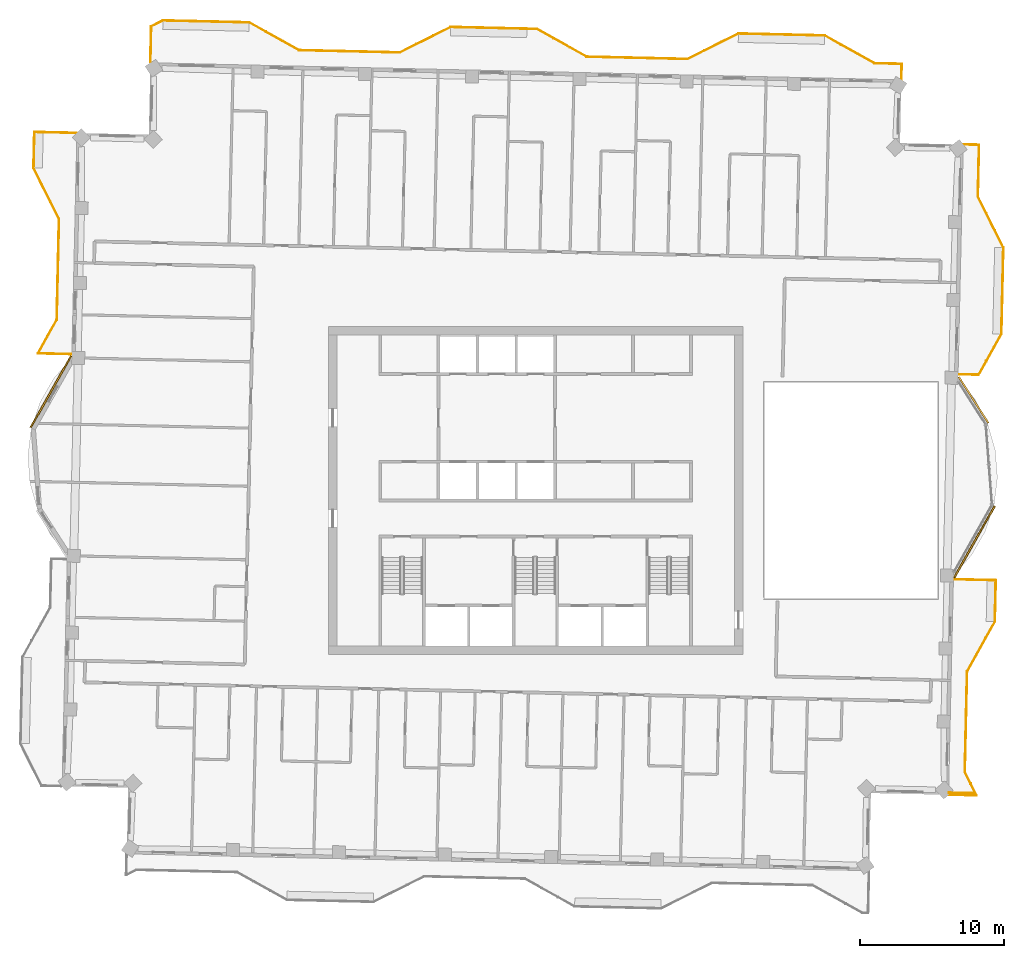
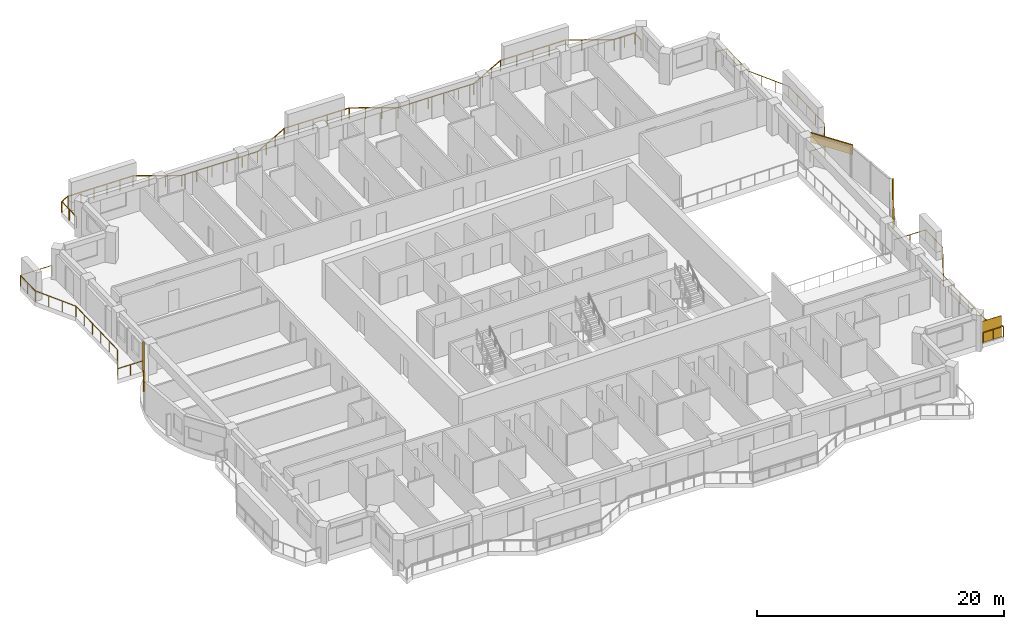
# One storey, part 15 of 15: 4 railings, 3 coverings, 1 shading device.
"""IFC4 building model written with IfcOpenShell, lengths in metres."""

from ifc_helpers import new_model, si_unit, direction, frame, frame_2d, origin, origin_2d, place, context, subcontext, project, spatial, rectangle, extrude, material, layer, layer_set, type_object, element, save


model = new_model("IFC4")

# Units and contexts
model_context = context("Model", 3, precision=1e-05, world=origin(), true_north=direction((0.0, 1.0)))
body_context = subcontext(model_context, "Body", "Model", "MODEL_VIEW")
ifc_project = project(units=[si_unit("LENGTHUNIT", "METRE"), si_unit("AREAUNIT", "SQUARE_METRE"), si_unit("VOLUMEUNIT", "CUBIC_METRE"), si_unit("PLANEANGLEUNIT", "RADIAN"), si_unit("MASSUNIT", "GRAM", prefix="KILO")], contexts=[model_context])

# Site, building, storey
site_placement = place(None, origin())
site = spatial("IfcSite", under=ifc_project, at=site_placement, CompositionType="ELEMENT")
building_placement = place(site_placement, origin())
building = spatial("IfcBuilding", under=site, at=building_placement, Name="Mangrove Gate Tower", CompositionType="ELEMENT")
storey_placement = place(building_placement, frame((0.0, 0.0, 306.10009765625)))
storey = spatial("IfcBuildingStorey", under=building, at=storey_placement, Name="L78", CompositionType="ELEMENT", Elevation=306.10009765625)

# Railings
ifc_material_1 = material(Name="Stainless steel grade 316 with laminated glass infill", Category="steel")
railing_type = type_object("IfcRailingType", Name="Balcony guard 1100", PredefinedType="GUARDRAIL", material=ifc_material_1)
railing_1_placement = place(storey_placement, frame((28.73095703125, -21.14404296875, 0.0)))
element("IfcRailing", 1, at=railing_1_placement, inside=storey, type_object=railing_type, Name="GUARD L78 E1", PredefinedType="GUARDRAIL", context=body_context, shape_type="SweptSolid", body=[
    extrude(rectangle(XDim=0.048095703125, YDim=0.048095703125, at=origin_2d()), frame((0.0, 0.0, 1.076171875), z_axis=(0.999745723365, -0.022549692082, 0.0), x_axis=(0.022549692082, 0.999745723365, 0.0)), (0.0, 0.0, 1.0), 1.905517578125),
    extrude(rectangle(XDim=0.048095703125, YDim=0.048095703125, at=origin_2d()), frame((1.905029296875, -0.04296875, 1.076171875), z_axis=(-0.44705171067, 0.894508115104, 0.0), x_axis=(-0.894508115104, -0.44705171067, 0.0)), (0.0, 0.0, 1.0), 1.809814453125),
    extrude(rectangle(XDim=0.048095703125, YDim=0.048095703125, at=origin_2d()), frame((1.095947265625, 1.575927734375, 1.076171875), z_axis=(0.022600979566, 0.999744565238, 0.0), x_axis=(-0.999744565238, 0.022600979566, 0.0)), (0.0, 0.0, 1.0), 6.999755859375),
    extrude(rectangle(XDim=0.048095703125, YDim=0.048095703125, at=origin_2d()), frame((1.254150390625, 8.573974609375, 1.076171875), z_axis=(0.48726008209, 0.87325689943, 0.0), x_axis=(-0.87325689943, 0.48726008209, 0.0)), (0.0, 0.0, 1.0), 3.958740234375),
    extrude(rectangle(XDim=0.048095703125, YDim=0.048095703125, at=origin_2d()), frame((3.18310546875, 12.031005859375, 1.076171875), z_axis=(0.022929749512, 0.99973707873, 0.0), x_axis=(-0.99973707873, 0.022929749512, 0.0)), (0.0, 0.0, 1.0), 2.874755859375),
    extrude(rectangle(XDim=0.048095703125, YDim=0.048095703125, at=origin_2d()), frame((3.2490234375, 14.905029296875, 1.076171875), z_axis=(-0.999743521605, 0.022647097142, 0.0), x_axis=(-0.022647097142, -0.999743521605, 0.0)), (0.0, 0.0, 1.0), 2.91064453125),
    extrude(rectangle(XDim=0.0419921875, YDim=0.0419921875, at=origin_2d()), origin(), (0.0, 0.0, 1.0), 1.052001953125),
    extrude(rectangle(XDim=0.0419921875, YDim=0.0419921875, at=origin_2d()), frame((0.95263671875, -0.021484375, 0.0)), (0.0, 0.0, 1.0), 1.052001953125),
    extrude(rectangle(XDim=0.0419921875, YDim=0.0419921875, at=origin_2d()), frame((1.905029296875, -0.04296875, 0.0)), (0.0, 0.0, 1.0), 1.052001953125),
    extrude(rectangle(XDim=0.0419921875, YDim=0.0419921875, at=origin_2d()), frame((1.50048828125, 0.7666015625, 0.0)), (0.0, 0.0, 1.0), 1.052001953125),
    extrude(rectangle(XDim=0.0419921875, YDim=0.0419921875, at=origin_2d()), frame((1.095947265625, 1.575927734375, 0.0)), (0.0, 0.0, 1.0), 1.052001953125),
    extrude(rectangle(XDim=0.0419921875, YDim=0.0419921875, at=origin_2d()), frame((1.127685546875, 2.9755859375, 0.0)), (0.0, 0.0, 1.0), 1.052001953125),
    extrude(rectangle(XDim=0.0419921875, YDim=0.0419921875, at=origin_2d()), frame((1.1591796875, 4.375244140625, 0.0)), (0.0, 0.0, 1.0), 1.052001953125),
    extrude(rectangle(XDim=0.0419921875, YDim=0.0419921875, at=origin_2d()), frame((1.19091796875, 5.774658203125, 0.0)), (0.0, 0.0, 1.0), 1.052001953125),
    extrude(rectangle(XDim=0.0419921875, YDim=0.0419921875, at=origin_2d()), frame((1.222412109375, 7.17431640625, 0.0)), (0.0, 0.0, 1.0), 1.052001953125),
    extrude(rectangle(XDim=0.0419921875, YDim=0.0419921875, at=origin_2d()), frame((1.254150390625, 8.573974609375, 0.0)), (0.0, 0.0, 1.0), 1.052001953125),
    extrude(rectangle(XDim=0.0419921875, YDim=0.0419921875, at=origin_2d()), frame((1.897216796875, 9.726318359375, 0.0)), (0.0, 0.0, 1.0), 1.052001953125),
    extrude(rectangle(XDim=0.0419921875, YDim=0.0419921875, at=origin_2d()), frame((2.5400390625, 10.878662109375, 0.0)), (0.0, 0.0, 1.0), 1.052001953125),
    extrude(rectangle(XDim=0.0419921875, YDim=0.0419921875, at=origin_2d()), frame((3.18310546875, 12.031005859375, 0.0)), (0.0, 0.0, 1.0), 1.052001953125),
    extrude(rectangle(XDim=0.0419921875, YDim=0.0419921875, at=origin_2d()), frame((3.216064453125, 13.468017578125, 0.0)), (0.0, 0.0, 1.0), 1.052001953125),
    extrude(rectangle(XDim=0.0419921875, YDim=0.0419921875, at=origin_2d()), frame((3.2490234375, 14.905029296875, 0.0)), (0.0, 0.0, 1.0), 1.052001953125),
    extrude(rectangle(XDim=0.0419921875, YDim=0.0419921875, at=origin_2d()), frame((1.7939453125, 14.93798828125, 0.0)), (0.0, 0.0, 1.0), 1.052001953125),
    extrude(rectangle(XDim=0.0419921875, YDim=0.0419921875, at=origin_2d()), frame((0.339111328125, 14.970947265625, 0.0)), (0.0, 0.0, 1.0), 1.052001953125),
])
railing_2_placement = place(storey_placement, frame((29.39404296875, 8.073974609375, 0.0)))
element("IfcRailing", 2, at=railing_2_placement, inside=storey, type_object=railing_type, Name="GUARD L78 E2", PredefinedType="GUARDRAIL", context=body_context, shape_type="SweptSolid", body=[
    extrude(rectangle(XDim=0.048095703125, YDim=0.048095703125, at=origin_2d()), frame((0.0, 0.0, 1.076171875), z_axis=(0.999735358589, -0.023004625325, 0.0), x_axis=(0.023004625325, 0.999735358589, 0.0)), (0.0, 0.0, 1.0), 1.390380859375),
    extrude(rectangle(XDim=0.048095703125, YDim=0.048095703125, at=origin_2d()), frame((1.389892578125, -0.031982421875, 1.076171875), z_axis=(0.487089238085, 0.873352205093, 0.0), x_axis=(-0.873352205093, 0.487089238085, 0.0)), (0.0, 0.0, 1.0), 3.251953125),
    extrude(rectangle(XDim=0.048095703125, YDim=0.048095703125, at=origin_2d()), frame((2.973876953125, 2.80810546875, 1.076171875), z_axis=(0.022666865795, 0.999743073592, 0.0), x_axis=(-0.999743073592, 0.022666865795, 0.0)), (0.0, 0.0, 1.0), 5.999267578125),
    extrude(rectangle(XDim=0.048095703125, YDim=0.048095703125, at=origin_2d()), frame((3.10986328125, 8.805908203125, 1.076171875), z_axis=(-0.447114919141, 0.894476522376, 0.0), x_axis=(-0.894476522376, -0.447114919141, 0.0)), (0.0, 0.0, 1.0), 3.958740234375),
    extrude(rectangle(XDim=0.048095703125, YDim=0.048095703125, at=origin_2d()), frame((1.33984375, 12.346923828125, 1.076171875), z_axis=(0.02278610514, 0.999740363001, 0.0), x_axis=(-0.999740363001, 0.02278610514, 0.0)), (0.0, 0.0, 1.0), 3.60009765625),
    extrude(rectangle(XDim=0.048095703125, YDim=0.048095703125, at=origin_2d()), frame((1.421875, 15.946044921875, 1.076171875), z_axis=(-0.999745272039, 0.02256969285, 0.0), x_axis=(-0.02256969285, -0.999745272039, 0.0)), (0.0, 0.0, 1.0), 1.06005859375),
    extrude(rectangle(XDim=0.0419921875, YDim=0.0419921875, at=origin_2d()), origin(), (0.0, 0.0, 1.0), 1.052001953125),
    extrude(rectangle(XDim=0.0419921875, YDim=0.0419921875, at=origin_2d()), frame((1.389892578125, -0.031982421875, 0.0)), (0.0, 0.0, 1.0), 1.052001953125),
    extrude(rectangle(XDim=0.0419921875, YDim=0.0419921875, at=origin_2d()), frame((1.91796875, 0.914794921875, 0.0)), (0.0, 0.0, 1.0), 1.052001953125),
    extrude(rectangle(XDim=0.0419921875, YDim=0.0419921875, at=origin_2d()), frame((2.44580078125, 1.861328125, 0.0)), (0.0, 0.0, 1.0), 1.052001953125),
    extrude(rectangle(XDim=0.0419921875, YDim=0.0419921875, at=origin_2d()), frame((2.973876953125, 2.80810546875, 0.0)), (0.0, 0.0, 1.0), 1.052001953125),
    extrude(rectangle(XDim=0.0419921875, YDim=0.0419921875, at=origin_2d()), frame((3.0078125, 4.3076171875, 0.0)), (0.0, 0.0, 1.0), 1.052001953125),
    extrude(rectangle(XDim=0.0419921875, YDim=0.0419921875, at=origin_2d()), frame((3.0419921875, 5.80712890625, 0.0)), (0.0, 0.0, 1.0), 1.052001953125),
    extrude(rectangle(XDim=0.0419921875, YDim=0.0419921875, at=origin_2d()), frame((3.075927734375, 7.306396484375, 0.0)), (0.0, 0.0, 1.0), 1.052001953125),
    extrude(rectangle(XDim=0.0419921875, YDim=0.0419921875, at=origin_2d()), frame((3.10986328125, 8.805908203125, 0.0)), (0.0, 0.0, 1.0), 1.052001953125),
    extrude(rectangle(XDim=0.0419921875, YDim=0.0419921875, at=origin_2d()), frame((2.519775390625, 9.986328125, 0.0)), (0.0, 0.0, 1.0), 1.052001953125),
    extrude(rectangle(XDim=0.0419921875, YDim=0.0419921875, at=origin_2d()), frame((1.929931640625, 11.16650390625, 0.0)), (0.0, 0.0, 1.0), 1.052001953125),
    extrude(rectangle(XDim=0.0419921875, YDim=0.0419921875, at=origin_2d()), frame((1.33984375, 12.346923828125, 0.0)), (0.0, 0.0, 1.0), 1.052001953125),
    extrude(rectangle(XDim=0.0419921875, YDim=0.0419921875, at=origin_2d()), frame((1.3671875, 13.546630859375, 0.0)), (0.0, 0.0, 1.0), 1.052001953125),
    extrude(rectangle(XDim=0.0419921875, YDim=0.0419921875, at=origin_2d()), frame((1.39453125, 14.746337890625, 0.0)), (0.0, 0.0, 1.0), 1.052001953125),
    extrude(rectangle(XDim=0.0419921875, YDim=0.0419921875, at=origin_2d()), frame((1.421875, 15.946044921875, 0.0)), (0.0, 0.0, 1.0), 1.052001953125),
    extrude(rectangle(XDim=0.0419921875, YDim=0.0419921875, at=origin_2d()), frame((0.362060546875, 15.969970703125, 0.0)), (0.0, 0.0, 1.0), 1.052001953125),
])
railing_3_placement = place(storey_placement, frame((25.41796875, 28.583984375, 0.0)))
element("IfcRailing", 3, at=railing_3_placement, inside=storey, type_object=railing_type, Name="GUARD L78 N1", PredefinedType="GUARDRAIL", context=body_context, shape_type="SweptSolid", body=[
    extrude(rectangle(XDim=0.048095703125, YDim=0.048095703125, at=origin_2d()), frame((0.0, 0.0, 1.076171875), z_axis=(0.022564497502, 0.999745389313, 0.0), x_axis=(-0.999745389313, 0.022564497502, 0.0)), (0.0, 0.0, 1.0), 1.060302734375),
    extrude(rectangle(XDim=0.048095703125, YDim=0.048095703125, at=origin_2d()), frame((0.02392578125, 1.06005859375, 1.076171875), z_axis=(-0.999744349692, 0.022610512149, 0.0), x_axis=(-0.022610512149, -0.999744349692, 0.0)), (0.0, 0.0, 1.0), 1.900390625),
    extrude(rectangle(XDim=0.048095703125, YDim=0.048095703125, at=origin_2d()), frame((-1.8759765625, 1.10302734375, 1.076171875), z_axis=(-0.87325689943, 0.48726008209, 0.0), x_axis=(-0.48726008209, -0.87325689943, 0.0)), (0.0, 0.0, 1.0), 3.958740234375),
    extrude(rectangle(XDim=0.048095703125, YDim=0.048095703125, at=origin_2d()), frame((-5.3330078125, 3.031982421875, 1.076171875), z_axis=(-0.999743094499, 0.022665943652, 0.0), x_axis=(-0.022665943652, -0.999743094499, 0.0)), (0.0, 0.0, 1.0), 5.99951171875),
    extrude(rectangle(XDim=0.048095703125, YDim=0.048095703125, at=origin_2d()), frame((-11.3310546875, 3.16796875, 1.076171875), z_axis=(-0.894476522376, -0.447114919141, 0.0), x_axis=(0.447114919141, -0.894476522376, 0.0)), (0.0, 0.0, 1.0), 3.958740234375),
    extrude(rectangle(XDim=0.048095703125, YDim=0.048095703125, at=origin_2d()), frame((-14.8720703125, 1.39794921875, 1.076171875), z_axis=(-0.999741385179, 0.022741212823, 0.0), x_axis=(-0.022741212823, -0.999741385179, 0.0)), (0.0, 0.0, 1.0), 6.99951171875),
    extrude(rectangle(XDim=0.048095703125, YDim=0.048095703125, at=origin_2d()), frame((-21.869873046875, 1.55712890625, 1.076171875), z_axis=(-0.873420366986, 0.486967003537, 0.0), x_axis=(-0.486967003537, -0.873420366986, 0.0)), (0.0, 0.0, 1.0), 3.959228515625),
    extrude(rectangle(XDim=0.048095703125, YDim=0.048095703125, at=origin_2d()), frame((-25.327880859375, 3.485107421875, 1.076171875), z_axis=(-0.999742376089, 0.022697608958, 0.0), x_axis=(-0.022697608958, -0.999742376089, 0.0)), (0.0, 0.0, 1.0), 0.69921875),
    extrude(rectangle(XDim=0.048095703125, YDim=0.048095703125, at=origin_2d()), frame((-26.02685546875, 3.5009765625, 1.076171875), z_axis=(-0.999738998067, 0.022845913063, 0.0), x_axis=(-0.022845913063, -0.999738998067, 0.0)), (0.0, 0.0, 1.0), 5.300537109375),
    extrude(rectangle(XDim=0.048095703125, YDim=0.048095703125, at=origin_2d()), frame((-31.325927734375, 3.6220703125, 1.076171875), z_axis=(-0.894377854182, -0.447312255532, 0.0), x_axis=(0.447312255532, -0.894377854182, 0.0)), (0.0, 0.0, 1.0), 3.959228515625),
    extrude(rectangle(XDim=0.048095703125, YDim=0.048095703125, at=origin_2d()), frame((-34.866943359375, 1.85107421875, 1.076171875), z_axis=(-0.999742195543, 0.022705559911, 0.0), x_axis=(-0.022705559911, -0.999742195543, 0.0)), (0.0, 0.0, 1.0), 6.999755859375),
    extrude(rectangle(XDim=0.048095703125, YDim=0.048095703125, at=origin_2d()), frame((-41.864990234375, 2.010009765625, 1.076171875), z_axis=(-0.87325689943, 0.48726008209, 0.0), x_axis=(-0.48726008209, -0.87325689943, 0.0)), (0.0, 0.0, 1.0), 3.958740234375),
    extrude(rectangle(XDim=0.048095703125, YDim=0.048095703125, at=origin_2d()), frame((-45.322021484375, 3.93896484375, 1.076171875), z_axis=(-0.999743178102, 0.022662255828, 0.0), x_axis=(-0.022662255828, -0.999743178102, 0.0)), (0.0, 0.0, 1.0), 6.00048828125),
    extrude(rectangle(XDim=0.048095703125, YDim=0.048095703125, at=origin_2d()), frame((-51.321044921875, 4.074951171875, 1.076171875), z_axis=(-0.89458914664, -0.446889537485, 0.0), x_axis=(0.446889537485, -0.89458914664, 0.0)), (0.0, 0.0, 1.0), 0.904052734375),
    extrude(rectangle(XDim=0.048095703125, YDim=0.048095703125, at=origin_2d()), frame((-52.1298828125, 3.6708984375, 1.076171875), z_axis=(-0.022574257693, -0.999745168975, 0.0), x_axis=(0.999745168975, -0.022574257693, 0.0)), (0.0, 0.0, 1.0), 2.487548828125),
    extrude(rectangle(XDim=0.0419921875, YDim=0.0419921875, at=origin_2d()), origin(), (0.0, 0.0, 1.0), 1.052001953125),
    extrude(rectangle(XDim=0.0419921875, YDim=0.0419921875, at=origin_2d()), frame((0.02392578125, 1.06005859375, 0.0)), (0.0, 0.0, 1.0), 1.052001953125),
    extrude(rectangle(XDim=0.0419921875, YDim=0.0419921875, at=origin_2d()), frame((-0.926025390625, 1.08154296875, 0.0)), (0.0, 0.0, 1.0), 1.052001953125),
    extrude(rectangle(XDim=0.0419921875, YDim=0.0419921875, at=origin_2d()), frame((-1.8759765625, 1.10302734375, 0.0)), (0.0, 0.0, 1.0), 1.052001953125),
    extrude(rectangle(XDim=0.0419921875, YDim=0.0419921875, at=origin_2d()), frame((-3.0283203125, 1.74609375, 0.0)), (0.0, 0.0, 1.0), 1.052001953125),
    extrude(rectangle(XDim=0.0419921875, YDim=0.0419921875, at=origin_2d()), frame((-4.1806640625, 2.388916015625, 0.0)), (0.0, 0.0, 1.0), 1.052001953125),
    extrude(rectangle(XDim=0.0419921875, YDim=0.0419921875, at=origin_2d()), frame((-5.3330078125, 3.031982421875, 0.0)), (0.0, 0.0, 1.0), 1.052001953125),
    extrude(rectangle(XDim=0.0419921875, YDim=0.0419921875, at=origin_2d()), frame((-6.83251953125, 3.06591796875, 0.0)), (0.0, 0.0, 1.0), 1.052001953125),
    extrude(rectangle(XDim=0.0419921875, YDim=0.0419921875, at=origin_2d()), frame((-8.33203125, 3.10009765625, 0.0)), (0.0, 0.0, 1.0), 1.052001953125),
    extrude(rectangle(XDim=0.0419921875, YDim=0.0419921875, at=origin_2d()), frame((-9.83154296875, 3.134033203125, 0.0)), (0.0, 0.0, 1.0), 1.052001953125),
    extrude(rectangle(XDim=0.0419921875, YDim=0.0419921875, at=origin_2d()), frame((-11.3310546875, 3.16796875, 0.0)), (0.0, 0.0, 1.0), 1.052001953125),
    extrude(rectangle(XDim=0.0419921875, YDim=0.0419921875, at=origin_2d()), frame((-12.511474609375, 2.577880859375, 0.0)), (0.0, 0.0, 1.0), 1.052001953125),
    extrude(rectangle(XDim=0.0419921875, YDim=0.0419921875, at=origin_2d()), frame((-13.691650390625, 1.988037109375, 0.0)), (0.0, 0.0, 1.0), 1.052001953125),
    extrude(rectangle(XDim=0.0419921875, YDim=0.0419921875, at=origin_2d()), frame((-14.8720703125, 1.39794921875, 0.0)), (0.0, 0.0, 1.0), 1.052001953125),
    extrude(rectangle(XDim=0.0419921875, YDim=0.0419921875, at=origin_2d()), frame((-16.271728515625, 1.4296875, 0.0)), (0.0, 0.0, 1.0), 1.052001953125),
    extrude(rectangle(XDim=0.0419921875, YDim=0.0419921875, at=origin_2d()), frame((-17.671142578125, 1.461669921875, 0.0)), (0.0, 0.0, 1.0), 1.052001953125),
    extrude(rectangle(XDim=0.0419921875, YDim=0.0419921875, at=origin_2d()), frame((-19.07080078125, 1.493408203125, 0.0)), (0.0, 0.0, 1.0), 1.052001953125),
    extrude(rectangle(XDim=0.0419921875, YDim=0.0419921875, at=origin_2d()), frame((-20.47021484375, 1.525390625, 0.0)), (0.0, 0.0, 1.0), 1.052001953125),
    extrude(rectangle(XDim=0.0419921875, YDim=0.0419921875, at=origin_2d()), frame((-21.869873046875, 1.55712890625, 0.0)), (0.0, 0.0, 1.0), 1.052001953125),
    extrude(rectangle(XDim=0.0419921875, YDim=0.0419921875, at=origin_2d()), frame((-23.0224609375, 2.19970703125, 0.0)), (0.0, 0.0, 1.0), 1.052001953125),
    extrude(rectangle(XDim=0.0419921875, YDim=0.0419921875, at=origin_2d()), frame((-24.17529296875, 2.842529296875, 0.0)), (0.0, 0.0, 1.0), 1.052001953125),
    extrude(rectangle(XDim=0.0419921875, YDim=0.0419921875, at=origin_2d()), frame((-25.327880859375, 3.485107421875, 0.0)), (0.0, 0.0, 1.0), 1.052001953125),
    extrude(rectangle(XDim=0.0419921875, YDim=0.0419921875, at=origin_2d()), frame((-26.02685546875, 3.5009765625, 0.0)), (0.0, 0.0, 1.0), 1.052001953125),
    extrude(rectangle(XDim=0.0419921875, YDim=0.0419921875, at=origin_2d()), frame((-27.3515625, 3.53125, 0.0)), (0.0, 0.0, 1.0), 1.052001953125),
    extrude(rectangle(XDim=0.0419921875, YDim=0.0419921875, at=origin_2d()), frame((-28.67626953125, 3.5615234375, 0.0)), (0.0, 0.0, 1.0), 1.052001953125),
    extrude(rectangle(XDim=0.0419921875, YDim=0.0419921875, at=origin_2d()), frame((-30.001220703125, 3.591796875, 0.0)), (0.0, 0.0, 1.0), 1.052001953125),
    extrude(rectangle(XDim=0.0419921875, YDim=0.0419921875, at=origin_2d()), frame((-31.325927734375, 3.6220703125, 0.0)), (0.0, 0.0, 1.0), 1.052001953125),
    extrude(rectangle(XDim=0.0419921875, YDim=0.0419921875, at=origin_2d()), frame((-32.50634765625, 3.03173828125, 0.0)), (0.0, 0.0, 1.0), 1.052001953125),
    extrude(rectangle(XDim=0.0419921875, YDim=0.0419921875, at=origin_2d()), frame((-33.6865234375, 2.44140625, 0.0)), (0.0, 0.0, 1.0), 1.052001953125),
    extrude(rectangle(XDim=0.0419921875, YDim=0.0419921875, at=origin_2d()), frame((-34.866943359375, 1.85107421875, 0.0)), (0.0, 0.0, 1.0), 1.052001953125),
    extrude(rectangle(XDim=0.0419921875, YDim=0.0419921875, at=origin_2d()), frame((-36.2666015625, 1.8828125, 0.0)), (0.0, 0.0, 1.0), 1.052001953125),
    extrude(rectangle(XDim=0.0419921875, YDim=0.0419921875, at=origin_2d()), frame((-37.666259765625, 1.91455078125, 0.0)), (0.0, 0.0, 1.0), 1.052001953125),
    extrude(rectangle(XDim=0.0419921875, YDim=0.0419921875, at=origin_2d()), frame((-39.065673828125, 1.946533203125, 0.0)), (0.0, 0.0, 1.0), 1.052001953125),
    extrude(rectangle(XDim=0.0419921875, YDim=0.0419921875, at=origin_2d()), frame((-40.46533203125, 1.978271484375, 0.0)), (0.0, 0.0, 1.0), 1.052001953125),
    extrude(rectangle(XDim=0.0419921875, YDim=0.0419921875, at=origin_2d()), frame((-41.864990234375, 2.010009765625, 0.0)), (0.0, 0.0, 1.0), 1.052001953125),
    extrude(rectangle(XDim=0.0419921875, YDim=0.0419921875, at=origin_2d()), frame((-43.017333984375, 2.653076171875, 0.0)), (0.0, 0.0, 1.0), 1.052001953125),
    extrude(rectangle(XDim=0.0419921875, YDim=0.0419921875, at=origin_2d()), frame((-44.169677734375, 3.2958984375, 0.0)), (0.0, 0.0, 1.0), 1.052001953125),
    extrude(rectangle(XDim=0.0419921875, YDim=0.0419921875, at=origin_2d()), frame((-45.322021484375, 3.93896484375, 0.0)), (0.0, 0.0, 1.0), 1.052001953125),
    extrude(rectangle(XDim=0.0419921875, YDim=0.0419921875, at=origin_2d()), frame((-46.521728515625, 3.966064453125, 0.0)), (0.0, 0.0, 1.0), 1.052001953125),
    extrude(rectangle(XDim=0.0419921875, YDim=0.0419921875, at=origin_2d()), frame((-47.7216796875, 3.993408203125, 0.0)), (0.0, 0.0, 1.0), 1.052001953125),
    extrude(rectangle(XDim=0.0419921875, YDim=0.0419921875, at=origin_2d()), frame((-48.92138671875, 4.0205078125, 0.0)), (0.0, 0.0, 1.0), 1.052001953125),
    extrude(rectangle(XDim=0.0419921875, YDim=0.0419921875, at=origin_2d()), frame((-50.121337890625, 4.0478515625, 0.0)), (0.0, 0.0, 1.0), 1.052001953125),
    extrude(rectangle(XDim=0.0419921875, YDim=0.0419921875, at=origin_2d()), frame((-51.321044921875, 4.074951171875, 0.0)), (0.0, 0.0, 1.0), 1.052001953125),
    extrude(rectangle(XDim=0.0419921875, YDim=0.0419921875, at=origin_2d()), frame((-52.1298828125, 3.6708984375, 0.0)), (0.0, 0.0, 1.0), 1.052001953125),
    extrude(rectangle(XDim=0.0419921875, YDim=0.0419921875, at=origin_2d()), frame((-52.157958984375, 2.427490234375, 0.0)), (0.0, 0.0, 1.0), 1.052001953125),
    extrude(rectangle(XDim=0.0419921875, YDim=0.0419921875, at=origin_2d()), frame((-52.18603515625, 1.18408203125, 0.0)), (0.0, 0.0, 1.0), 1.052001953125),
])
railing_4_placement = place(storey_placement, frame((-31.922119140625, 24.843994140625, 0.0)))
element("IfcRailing", 4, at=railing_4_placement, inside=storey, type_object=railing_type, Name="GUARD L78 W1", PredefinedType="GUARDRAIL", context=body_context, shape_type="SweptSolid", body=[
    extrude(rectangle(XDim=0.048095703125, YDim=0.048095703125, at=origin_2d()), frame((0.0, 0.0, 1.076171875), z_axis=(-0.999743349437, 0.022654696127, 0.0), x_axis=(-0.022654696127, -0.999743349437, 0.0)), (0.0, 0.0, 1.0), 2.90966796875),
    extrude(rectangle(XDim=0.048095703125, YDim=0.048095703125, at=origin_2d()), frame((-2.908935546875, 0.06591796875, 1.076171875), z_axis=(-0.02274801823, -0.999741230352, 0.0), x_axis=(0.999741230352, -0.02274801823, 0.0)), (0.0, 0.0, 1.0), 2.500732421875),
    extrude(rectangle(XDim=0.048095703125, YDim=0.048095703125, at=origin_2d()), frame((-2.9658203125, -2.43408203125, 1.076171875), z_axis=(0.447312255532, -0.894377854182, 0.0), x_axis=(0.894377854182, 0.447312255532, 0.0)), (0.0, 0.0, 1.0), 3.959228515625),
    extrude(rectangle(XDim=0.048095703125, YDim=0.048095703125, at=origin_2d()), frame((-1.19482421875, -5.97509765625, 1.076171875), z_axis=(-0.022706351659, -0.999742177561, 0.0), x_axis=(0.999742177561, -0.022706351659, 0.0)), (0.0, 0.0, 1.0), 6.99951171875),
    extrude(rectangle(XDim=0.048095703125, YDim=0.048095703125, at=origin_2d()), frame((-1.353759765625, -12.972900390625, 1.076171875), z_axis=(-0.487401618929, -0.87317790963, 0.0), x_axis=(0.87317790963, -0.487401618929, 0.0)), (0.0, 0.0, 1.0), 2.685791015625),
    extrude(rectangle(XDim=0.048095703125, YDim=0.048095703125, at=origin_2d()), frame((-2.662841796875, -15.318115234375, 1.076171875), z_axis=(0.999738230516, -0.022879476484, 0.0), x_axis=(0.022879476484, 0.999738230516, 0.0)), (0.0, 0.0, 1.0), 2.3154296875),
    extrude(rectangle(XDim=0.0419921875, YDim=0.0419921875, at=origin_2d()), origin(), (0.0, 0.0, 1.0), 1.052001953125),
    extrude(rectangle(XDim=0.0419921875, YDim=0.0419921875, at=origin_2d()), frame((-1.45458984375, 0.032958984375, 0.0)), (0.0, 0.0, 1.0), 1.052001953125),
    extrude(rectangle(XDim=0.0419921875, YDim=0.0419921875, at=origin_2d()), frame((-2.908935546875, 0.06591796875, 0.0)), (0.0, 0.0, 1.0), 1.052001953125),
    extrude(rectangle(XDim=0.0419921875, YDim=0.0419921875, at=origin_2d()), frame((-2.9375, -1.18408203125, 0.0)), (0.0, 0.0, 1.0), 1.052001953125),
    extrude(rectangle(XDim=0.0419921875, YDim=0.0419921875, at=origin_2d()), frame((-2.9658203125, -2.43408203125, 0.0)), (0.0, 0.0, 1.0), 1.052001953125),
    extrude(rectangle(XDim=0.0419921875, YDim=0.0419921875, at=origin_2d()), frame((-2.37548828125, -3.614501953125, 0.0)), (0.0, 0.0, 1.0), 1.052001953125),
    extrude(rectangle(XDim=0.0419921875, YDim=0.0419921875, at=origin_2d()), frame((-1.78515625, -4.794677734375, 0.0)), (0.0, 0.0, 1.0), 1.052001953125),
    extrude(rectangle(XDim=0.0419921875, YDim=0.0419921875, at=origin_2d()), frame((-1.19482421875, -5.97509765625, 0.0)), (0.0, 0.0, 1.0), 1.052001953125),
    extrude(rectangle(XDim=0.0419921875, YDim=0.0419921875, at=origin_2d()), frame((-1.2265625, -7.374755859375, 0.0)), (0.0, 0.0, 1.0), 1.052001953125),
    extrude(rectangle(XDim=0.0419921875, YDim=0.0419921875, at=origin_2d()), frame((-1.25830078125, -8.774169921875, 0.0)), (0.0, 0.0, 1.0), 1.052001953125),
    extrude(rectangle(XDim=0.0419921875, YDim=0.0419921875, at=origin_2d()), frame((-1.290283203125, -10.173828125, 0.0)), (0.0, 0.0, 1.0), 1.052001953125),
    extrude(rectangle(XDim=0.0419921875, YDim=0.0419921875, at=origin_2d()), frame((-1.322021484375, -11.5732421875, 0.0)), (0.0, 0.0, 1.0), 1.052001953125),
    extrude(rectangle(XDim=0.0419921875, YDim=0.0419921875, at=origin_2d()), frame((-1.353759765625, -12.972900390625, 0.0)), (0.0, 0.0, 1.0), 1.052001953125),
    extrude(rectangle(XDim=0.0419921875, YDim=0.0419921875, at=origin_2d()), frame((-2.00830078125, -14.1455078125, 0.0)), (0.0, 0.0, 1.0), 1.052001953125),
    extrude(rectangle(XDim=0.0419921875, YDim=0.0419921875, at=origin_2d()), frame((-2.662841796875, -15.318115234375, 0.0)), (0.0, 0.0, 1.0), 1.052001953125),
    extrude(rectangle(XDim=0.0419921875, YDim=0.0419921875, at=origin_2d()), frame((-1.50537109375, -15.3447265625, 0.0)), (0.0, 0.0, 1.0), 1.052001953125),
    extrude(rectangle(XDim=0.0419921875, YDim=0.0419921875, at=origin_2d()), frame((-0.347900390625, -15.37109375, 0.0)), (0.0, 0.0, 1.0), 1.052001953125),
])

# Shading device
ifc_material_2 = material(Name="Timber slat screen in teak", Category="wood")
shading_device_type = type_object("IfcShadingDeviceType", Name="Balcony screen 2100", PredefinedType="USERDEFINED", material=ifc_material_2)
shading_device_placement = place(storey_placement, frame((29.60693359375, -21.02392578125, -0.000244140625), z_axis=(0.0, 0.0, 1.0), x_axis=(0.999743005139, -0.022669884769, 0.0)))
element("IfcShadingDevice", 5, at=shading_device_placement, inside=storey, type_object=shading_device_type, Name="SCREEN L78 E0", ObjectType="SCREEN", PredefinedType="USERDEFINED", context=body_context, shape_type="SweptSolid", body=[
    extrude(rectangle(XDim=1.785888671875, YDim=0.050048828125, at=origin_2d()), origin(), (0.0, 0.0, 1.0), 2.10009765625),
])

# Coverings
ifc_material_3 = material(Name="Limestone", Category="masonry")
ifc_layer_1 = layer(ifc_material_3, 0.0400390625, Name="Limestone cladding")
ifc_material_4 = material(Name="Stainless steel anchors and cavity", Category="steel")
ifc_layer_2 = layer(ifc_material_4, 0.080078125, Name="Fixing cavity")
ifc_layer_set = layer_set([ifc_layer_1, ifc_layer_2], Name="Joint fascia cladding 120")
covering_type = type_object("IfcCoveringType", Name="Joint fascia cladding 120", PredefinedType="CLADDING", material=ifc_layer_set)
covering_1_placement = place(storey_placement, frame((29.083251953125, -6.048828125, 2.099853515625), z_axis=(0.0, 0.0, 1.0), x_axis=(0.492461862622, 0.870334024305, 0.0)))
element("IfcCovering", 6, at=covering_1_placement, inside=storey, type_object=covering_type, Name="STONE FASCIA L78 E1.L1", PredefinedType="CLADDING", context=body_context, shape_type="SweptSolid", body=[
    extrude(rectangle(XDim=5.70556640625, YDim=0.1201171875, at=frame_2d((2.852783203125, 0.0))), origin(), (0.0, 0.0, 1.0), 0.949951171875),
])
covering_2_placement = place(storey_placement, frame((31.4580078125, 4.69091796875, 2.099853515625), z_axis=(0.0, 0.0, 1.0), x_axis=(-0.540573367362, 0.841296876554, 0.0)))
element("IfcCovering", 7, at=covering_2_placement, inside=storey, type_object=covering_type, Name="STONE FASCIA L78 E1.L2", PredefinedType="CLADDING", context=body_context, shape_type="SweptSolid", body=[
    extrude(rectangle(XDim=3.818115234375, YDim=0.1201171875, at=frame_2d((1.9091796875, 0.0))), origin(), (0.0, 0.0, 1.0), 0.949951171875),
])
covering_3_placement = place(storey_placement, frame((-32.283203125, 9.348876953125, 2.099853515625), z_axis=(0.0, 0.0, 1.0), x_axis=(-0.492461862622, -0.870334024305, 0.0)))
element("IfcCovering", 8, at=covering_3_placement, inside=storey, type_object=covering_type, Name="STONE FASCIA L78 W9.L1", PredefinedType="CLADDING", context=body_context, shape_type="SweptSolid", body=[
    extrude(rectangle(XDim=5.70556640625, YDim=0.1201171875, at=frame_2d((2.852783203125, 0.0))), origin(), (0.0, 0.0, 1.0), 0.949951171875),
])

save(model, "model.ifc")
